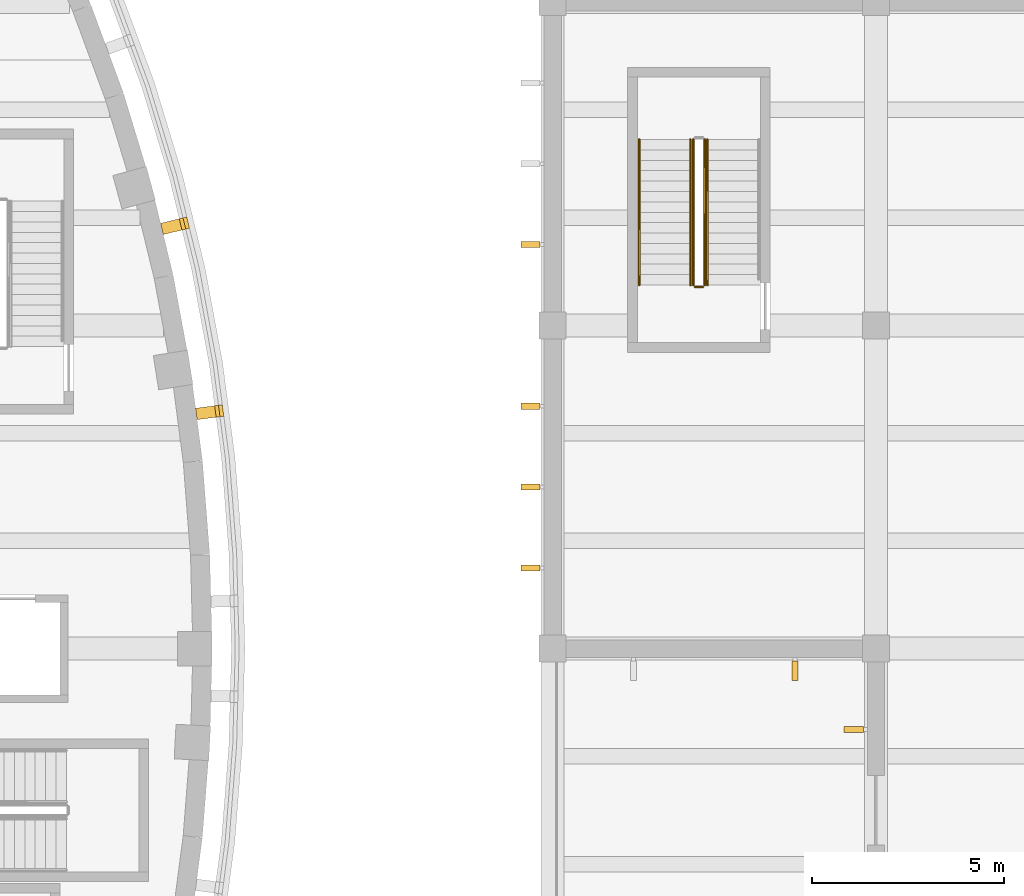
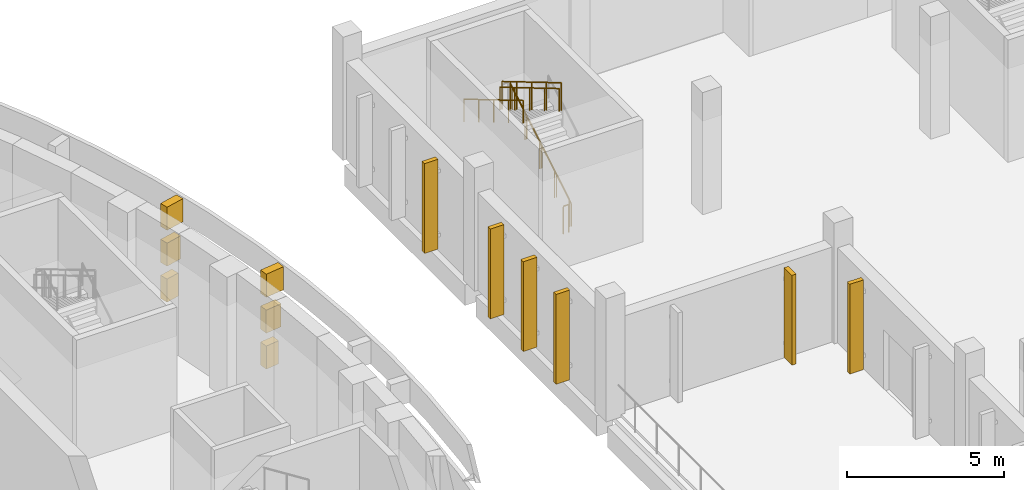
# One storey, part 100 of 103: 12 coverings, 6 railings.
"""IFC4 building model written with IfcOpenShell, lengths in metres."""

from ifc_helpers import new_model, si_unit, direction, frame, origin, origin_2d, place, context, subcontext, project, spatial, polyline, rectangle, circle, outline, extrude, material, layer, layer_set, type_object, element, save


model = new_model("IFC4")

# Units and contexts
model_context = context("Model", 3, precision=1e-05, world=origin(), true_north=direction((0.0, 1.0)))
body_context = subcontext(model_context, "Body", "Model", "MODEL_VIEW")
ifc_project = project(units=[si_unit("LENGTHUNIT", "METRE"), si_unit("AREAUNIT", "SQUARE_METRE"), si_unit("VOLUMEUNIT", "CUBIC_METRE"), si_unit("PLANEANGLEUNIT", "RADIAN"), si_unit("MASSUNIT", "GRAM", prefix="KILO")], contexts=[model_context])

# Site, building, storey
site_placement = place(None, origin())
site = spatial("IfcSite", under=ifc_project, at=site_placement, CompositionType="ELEMENT")
building_placement = place(site_placement, origin())
building = spatial("IfcBuilding", under=site, at=building_placement, Name="Larchfold Concert Hall", CompositionType="ELEMENT")
storey_placement = place(building_placement, frame((0.0, 0.0, 9.60009765625)))
storey = spatial("IfcBuildingStorey", under=building, at=storey_placement, Name="L02", CompositionType="ELEMENT", Elevation=9.60009765625)

# Coverings
ifc_material_1 = material(Name="Glulam GL30c", Category="wood")
ifc_layer_1 = layer(ifc_material_1, 0.159912109375)
ifc_layer_set_1 = layer_set([ifc_layer_1], Name="Glulam GL30c")
covering_type_1 = type_object("IfcCoveringType", Name="Glulam fin 160x500", PredefinedType="CLADDING", material=ifc_layer_set_1)
covering_1_placement = place(storey_placement, frame((0.0, 0.0, 0.199951171875)))
element("IfcCovering", 1, at=covering_1_placement, inside=storey, type_object=covering_type_1, Name="Glulam fin FN-L02-031", PredefinedType="CLADDING", context=body_context, shape_type="SweptSolid", body=[
    extrude(outline(polyline([(75.875, 95.02001953125), (75.875, 95.179931640625), (75.375, 95.179931640625), (75.375, 95.02001953125), (75.875, 95.02001953125)])), origin(), (0.0, 0.0, 1.0), 3.5),
])
covering_2_placement = place(storey_placement, frame((0.0, 0.0, 0.199951171875)))
element("IfcCovering", 2, at=covering_2_placement, inside=storey, type_object=covering_type_1, Name="Glulam fin FN-L02-034", PredefinedType="CLADDING", context=body_context, shape_type="SweptSolid", body=[
    extrude(outline(polyline([(75.875, 86.6201171875), (75.875, 86.780029296875), (75.375, 86.780029296875), (75.375, 86.6201171875), (75.875, 86.6201171875)])), origin(), (0.0, 0.0, 1.0), 3.5),
])
covering_3_placement = place(storey_placement, frame((0.0, 0.0, 0.199951171875)))
element("IfcCovering", 3, at=covering_3_placement, inside=storey, type_object=covering_type_1, Name="Glulam fin FN-L02-035", PredefinedType="CLADDING", context=body_context, shape_type="SweptSolid", body=[
    extrude(outline(polyline([(75.875, 88.719970703125), (75.875, 88.8798828125), (75.375, 88.8798828125), (75.375, 88.719970703125), (75.875, 88.719970703125)])), origin(), (0.0, 0.0, 1.0), 3.5),
])
covering_4_placement = place(storey_placement, frame((0.0, 0.0, 0.199951171875)))
element("IfcCovering", 4, at=covering_4_placement, inside=storey, type_object=covering_type_1, Name="Glulam fin FN-L02-036", PredefinedType="CLADDING", context=body_context, shape_type="SweptSolid", body=[
    extrude(outline(polyline([(75.875, 90.820068359375), (75.875, 90.97998046875), (75.375, 90.97998046875), (75.375, 90.820068359375), (75.875, 90.820068359375)])), origin(), (0.0, 0.0, 1.0), 3.5),
])
covering_5_placement = place(storey_placement, frame((0.0, 0.0, 0.199951171875)))
element("IfcCovering", 5, at=covering_5_placement, inside=storey, type_object=covering_type_1, Name="Glulam fin FN-L02-038", PredefinedType="CLADDING", context=body_context, shape_type="SweptSolid", body=[
    extrude(outline(polyline([(82.580078125, 83.775146484375), (82.580078125, 84.275146484375), (82.419921875, 84.275146484375), (82.419921875, 83.775146484375), (82.580078125, 83.775146484375)])), origin(), (0.0, 0.0, 1.0), 3.5),
])
covering_6_placement = place(storey_placement, frame((0.0, 0.0, 0.199951171875)))
element("IfcCovering", 6, at=covering_6_placement, inside=storey, type_object=covering_type_1, Name="Glulam fin FN-L02-040", PredefinedType="CLADDING", context=body_context, shape_type="SweptSolid", body=[
    extrude(outline(polyline([(84.275146484375, 82.419921875), (84.275146484375, 82.580078125), (83.775146484375, 82.580078125), (83.775146484375, 82.419921875), (84.275146484375, 82.419921875)])), origin(), (0.0, 0.0, 1.0), 3.5),
])
ifc_material_2 = material(Name="Galvanised steel bracket", Category="steel")
ifc_layer_2 = layer(ifc_material_2, 0.300048828125)
ifc_layer_set_2 = layer_set([ifc_layer_2], Name="Galvanised steel bracket")
covering_type_2 = type_object("IfcCoveringType", Name="Ring support bracket", PredefinedType="CLADDING", material=ifc_layer_set_2)
for number, where, z_axis, x_axis, name in (
    (7, (67.1865234375, 90.731201171875, 1.349853515625), (0.0, 0.0, 1.0), (0.991554174709, 0.129693171048, 0.0), "Ring bracket BR-R03-02"),
    (8, (66.287841796875, 95.56689453125, 1.349853515625), (0.0, 0.0, 1.0), (0.971762851638, 0.235959657944, 0.0), "Ring bracket BR-R03-03"),
):
    element("IfcCovering", number, at=place(storey_placement, frame(where, z_axis=z_axis, x_axis=x_axis)), inside=storey, type_object=covering_type_2, Name=name, PredefinedType="CLADDING", context=body_context, shape_type="SweptSolid", body=[
        extrude(rectangle(XDim=0.5, YDim=0.300048828125, at=origin_2d()), origin(), (0.0, 0.0, 1.0), 0.89990234375),
    ])
for number, where, z_axis, x_axis, name in (
    (9, (67.236083984375, 90.73779296875, 2.75), (0.0, 0.0, 1.0), (0.991554174709, 0.129693171048, 0.0), "Ring bracket BR-R04-02"),
    (10, (66.33642578125, 95.57861328125, 2.75), (0.0, 0.0, 1.0), (0.971762851638, 0.235959657944, 0.0), "Ring bracket BR-R04-03"),
):
    element("IfcCovering", number, at=place(storey_placement, frame(where, z_axis=z_axis, x_axis=x_axis)), inside=storey, type_object=covering_type_2, Name=name, PredefinedType="CLADDING", context=body_context, shape_type="SweptSolid", body=[
        extrude(rectangle(XDim=0.60009765625, YDim=0.300048828125, at=origin_2d()), origin(), (0.0, 0.0, 1.0), 0.89990234375),
    ])
for number, where, z_axis, x_axis, name in (
    (11, (67.28564453125, 90.744140625, 4.14990234375), (0.0, 0.0, 1.0), (0.991554174709, 0.129693171048, 0.0), "Ring bracket BR-R05-02"),
    (12, (66.385009765625, 95.59033203125, 4.14990234375), (0.0, 0.0, 1.0), (0.971762851638, 0.235959657944, 0.0), "Ring bracket BR-R05-03"),
):
    element("IfcCovering", number, at=place(storey_placement, frame(where, z_axis=z_axis, x_axis=x_axis)), inside=storey, type_object=covering_type_2, Name=name, PredefinedType="CLADDING", context=body_context, shape_type="SweptSolid", body=[
        extrude(rectangle(XDim=0.699951171875, YDim=0.300048828125, at=origin_2d()), origin(), (0.0, 0.0, 1.0), 0.89990234375),
    ])

# Railings
ifc_material_3 = material(Name="Stainless steel balustrade", Category="steel")
railing_type_1 = type_object("IfcRailingType", Name="Stair guard 1100", PredefinedType="GUARDRAIL", material=ifc_material_3)
railing_1_placement = place(storey_placement, frame((80.150146484375, 94.050048828125, 0.159912109375)))
element("IfcRailing", 13, at=railing_1_placement, inside=storey, type_object=railing_type_1, Name="Guard GR0068", PredefinedType="GUARDRAIL", context=body_context, shape_type="SweptSolid", body=[
    extrude(circle(Radius=0.02392578125, at=origin_2d()), frame((0.0, 0.0, 1.076171875), z_axis=(0.0, 0.860294241299, 0.509797821089), x_axis=(-1.0, 0.0, 0.0)), (0.0, 0.0, 1.0), 4.393798828125),
    extrude(circle(Radius=0.02099609375, at=origin_2d()), origin(), (0.0, 0.0, 1.0), 1.052001953125),
    extrude(circle(Radius=0.02099609375, at=origin_2d()), frame((0.0, 0.945068359375, 0.56005859375)), (0.0, 0.0, 1.0), 1.052001953125),
    extrude(circle(Radius=0.02099609375, at=origin_2d()), frame((0.0, 1.89013671875, 1.1201171875)), (0.0, 0.0, 1.0), 1.052001953125),
    extrude(circle(Radius=0.02099609375, at=origin_2d()), frame((0.0, 2.8349609375, 1.679931640625)), (0.0, 0.0, 1.0), 1.052001953125),
    extrude(circle(Radius=0.02099609375, at=origin_2d()), frame((0.0, 3.780029296875, 2.239990234375)), (0.0, 0.0, 1.0), 1.052001953125),
])
railing_2_placement = place(storey_placement, frame((79.85009765625, 97.830078125, 2.559814453125)))
element("IfcRailing", 14, at=railing_2_placement, inside=storey, type_object=railing_type_1, Name="Guard GR0070", PredefinedType="GUARDRAIL", context=body_context, shape_type="SweptSolid", body=[
    extrude(circle(Radius=0.02392578125, at=origin_2d()), frame((0.0, 0.0, 1.076171875), z_axis=(0.0, -0.860294241299, 0.509797821089), x_axis=(1.0, 0.0, 0.0)), (0.0, 0.0, 1.0), 4.393798828125),
    extrude(circle(Radius=0.02099609375, at=origin_2d()), origin(), (0.0, 0.0, 1.0), 1.052001953125),
    extrude(circle(Radius=0.02099609375, at=origin_2d()), frame((0.0, -0.945068359375, 0.56005859375)), (0.0, 0.0, 1.0), 1.052001953125),
    extrude(circle(Radius=0.02099609375, at=origin_2d()), frame((0.0, -1.89013671875, 1.1201171875)), (0.0, 0.0, 1.0), 1.052001953125),
    extrude(circle(Radius=0.02099609375, at=origin_2d()), frame((0.0, -2.8349609375, 1.679931640625)), (0.0, 0.0, 1.0), 1.052001953125),
    extrude(circle(Radius=0.02099609375, at=origin_2d()), frame((0.0, -3.780029296875, 2.239990234375)), (0.0, 0.0, 1.0), 1.052001953125),
])
railing_3_placement = place(storey_placement, frame((80.10009765625, 94.0, 0.0)))
element("IfcRailing", 15, at=railing_3_placement, inside=storey, type_object=railing_type_1, Name="Guard GR0071", PredefinedType="GUARDRAIL", context=body_context, shape_type="SweptSolid", body=[
    extrude(circle(Radius=0.02392578125, at=origin_2d()), frame((0.0, 0.0, 1.076171875), z_axis=(-1.0, 0.0, 0.0), x_axis=(0.0, -1.0, 0.0)), (0.0, 0.0, 1.0), 0.199951171875),
    extrude(circle(Radius=0.02099609375, at=origin_2d()), origin(), (0.0, 0.0, 1.0), 1.052001953125),
    extrude(circle(Radius=0.02099609375, at=origin_2d()), frame((-0.199951171875, 0.0, 0.0)), (0.0, 0.0, 1.0), 1.052001953125),
])
ifc_material_4 = material(Name="Stainless steel handrail", Category="steel")
railing_type_2 = type_object("IfcRailingType", Name="Stair handrail 900", PredefinedType="HANDRAIL", material=ifc_material_4)
railing_4_placement = place(storey_placement, frame((78.4501953125, 97.830078125, 2.559814453125)))
element("IfcRailing", 16, at=railing_4_placement, inside=storey, type_object=railing_type_2, Name="Handrail HR0066", PredefinedType="HANDRAIL", context=body_context, shape_type="SweptSolid", body=[
    extrude(circle(Radius=0.02392578125, at=origin_2d()), frame((0.0, 0.0, 0.8759765625), z_axis=(0.0, -0.860294241299, 0.509797821089), x_axis=(1.0, 0.0, 0.0)), (0.0, 0.0, 1.0), 4.393798828125),
    extrude(circle(Radius=0.02099609375, at=origin_2d()), origin(), (0.0, 0.0, 1.0), 0.851806640625),
    extrude(circle(Radius=0.02099609375, at=origin_2d()), frame((0.0, -0.945068359375, 0.56005859375)), (0.0, 0.0, 1.0), 0.851806640625),
    extrude(circle(Radius=0.02099609375, at=origin_2d()), frame((0.0, -1.89013671875, 1.1201171875)), (0.0, 0.0, 1.0), 0.851806640625),
    extrude(circle(Radius=0.02099609375, at=origin_2d()), frame((0.0, -2.8349609375, 1.679931640625)), (0.0, 0.0, 1.0), 0.851806640625),
    extrude(circle(Radius=0.02099609375, at=origin_2d()), frame((0.0, -3.780029296875, 2.239990234375)), (0.0, 0.0, 1.0), 0.851806640625),
])
railing_5_placement = place(storey_placement, frame((80.22021484375, 94.050048828125, 0.159912109375)))
element("IfcRailing", 17, at=railing_5_placement, inside=storey, type_object=railing_type_2, Name="Handrail HR0067", PredefinedType="HANDRAIL", context=body_context, shape_type="SweptSolid", body=[
    extrude(circle(Radius=0.02392578125, at=origin_2d()), frame((0.0, 0.0, 0.8759765625), z_axis=(0.0, 0.860294241299, 0.509797821089), x_axis=(-1.0, 0.0, 0.0)), (0.0, 0.0, 1.0), 4.393798828125),
    extrude(circle(Radius=0.02099609375, at=origin_2d()), origin(), (0.0, 0.0, 1.0), 0.851806640625),
    extrude(circle(Radius=0.02099609375, at=origin_2d()), frame((0.0, 0.945068359375, 0.56005859375)), (0.0, 0.0, 1.0), 0.851806640625),
    extrude(circle(Radius=0.02099609375, at=origin_2d()), frame((0.0, 1.89013671875, 1.1201171875)), (0.0, 0.0, 1.0), 0.851806640625),
    extrude(circle(Radius=0.02099609375, at=origin_2d()), frame((0.0, 2.8349609375, 1.679931640625)), (0.0, 0.0, 1.0), 0.851806640625),
    extrude(circle(Radius=0.02099609375, at=origin_2d()), frame((0.0, 3.780029296875, 2.239990234375)), (0.0, 0.0, 1.0), 0.851806640625),
])
railing_6_placement = place(storey_placement, frame((79.780029296875, 97.830078125, 2.559814453125)))
element("IfcRailing", 18, at=railing_6_placement, inside=storey, type_object=railing_type_2, Name="Handrail HR0068", PredefinedType="HANDRAIL", context=body_context, shape_type="SweptSolid", body=[
    extrude(circle(Radius=0.02392578125, at=origin_2d()), frame((0.0, 0.0, 0.8759765625), z_axis=(0.0, -0.860294241299, 0.509797821089), x_axis=(1.0, 0.0, 0.0)), (0.0, 0.0, 1.0), 4.393798828125),
    extrude(circle(Radius=0.02099609375, at=origin_2d()), origin(), (0.0, 0.0, 1.0), 0.851806640625),
    extrude(circle(Radius=0.02099609375, at=origin_2d()), frame((0.0, -0.945068359375, 0.56005859375)), (0.0, 0.0, 1.0), 0.851806640625),
    extrude(circle(Radius=0.02099609375, at=origin_2d()), frame((0.0, -1.89013671875, 1.1201171875)), (0.0, 0.0, 1.0), 0.851806640625),
    extrude(circle(Radius=0.02099609375, at=origin_2d()), frame((0.0, -2.8349609375, 1.679931640625)), (0.0, 0.0, 1.0), 0.851806640625),
    extrude(circle(Radius=0.02099609375, at=origin_2d()), frame((0.0, -3.780029296875, 2.239990234375)), (0.0, 0.0, 1.0), 0.851806640625),
])

save(model, "model.ifc")
